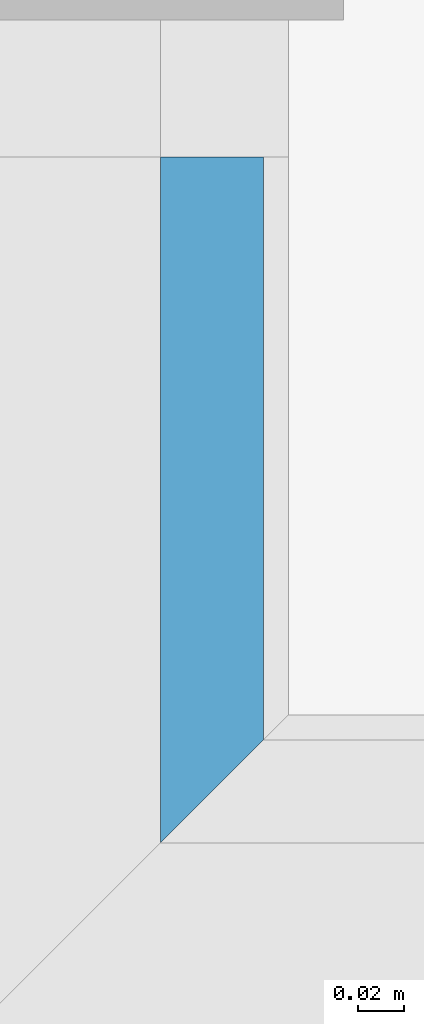
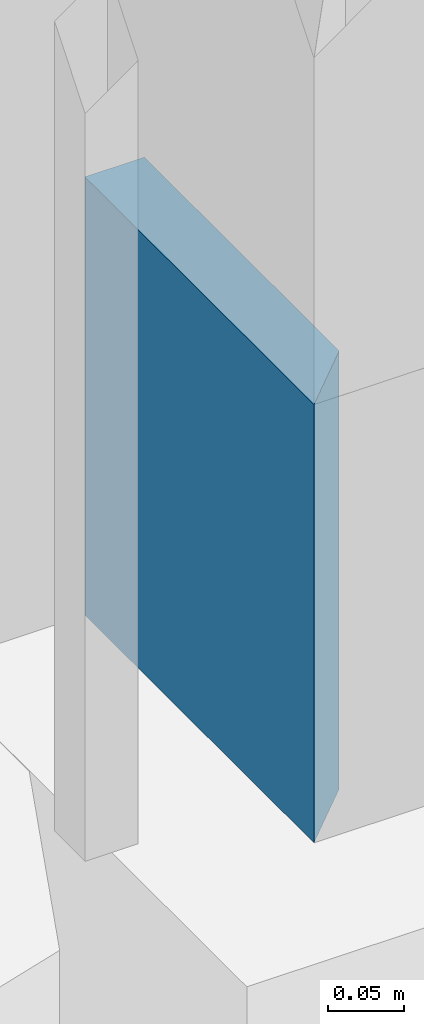
# One storey, part 12 of 18: 1 plate, 1 element without a shape of its own.
"""IFC4 building model written with IfcOpenShell, lengths in metres."""

from ifc_helpers import new_model, si_unit, direction, frame, origin, place, context, subcontext, project, spatial, polyline, outline, extrude, material, layer, layer_set, type_object, element, aggregate, save


model = new_model("IFC4")

# Units and contexts
model_context = context("Model", 3, precision=1e-05, world=origin(), true_north=direction((0.0, 1.0)))
body_context = subcontext(model_context, "Body", "Model", "MODEL_VIEW")
ifc_project = project(units=[si_unit("LENGTHUNIT", "METRE"), si_unit("AREAUNIT", "SQUARE_METRE"), si_unit("VOLUMEUNIT", "CUBIC_METRE"), si_unit("PLANEANGLEUNIT", "RADIAN"), si_unit("MASSUNIT", "GRAM", prefix="KILO")], contexts=[model_context])

# Site, building, storey
site_placement = place(None, origin())
site = spatial("IfcSite", under=ifc_project, at=site_placement, CompositionType="ELEMENT")
building_placement = place(site_placement, origin())
building = spatial("IfcBuilding", under=site, at=building_placement, Name="Trellis Farm Tower", CompositionType="ELEMENT")
storey_placement = place(building_placement, frame((0.0, 0.0, 338.10009765625)))
storey = spatial("IfcBuildingStorey", under=building, at=storey_placement, Name="L76", CompositionType="ELEMENT", Elevation=338.10009765625)

# Curtain wall, plate
ifc_material_1 = material(Name="Aluminium and glass curtain wall", Category="aluminium")
ifc_layer_1 = layer(ifc_material_1, 0.176025390625)
ifc_layer_set_1 = layer_set([ifc_layer_1], Name="CROWN LANTERN CURTAIN WALL CW5")
curtain_wall_type = type_object("IfcCurtainWallType", Name="CROWN LANTERN CURTAIN WALL CW5", PredefinedType="NOTDEFINED", material=ifc_layer_set_1)
placement = place(storey_placement, origin())
curtain_wall = element("IfcCurtainWall", 1, at=placement, inside=storey, type_object=curtain_wall_type, Name="CW5 016", PredefinedType="NOTDEFINED")
ifc_material_2 = material(Name="Sandstone faced insulated panel", Category="masonry")
ifc_layer_2 = layer(ifc_material_2, 0.044921875)
ifc_layer_set_2 = layer_set([ifc_layer_2], Name="CW5 STONE SPANDREL PANEL 45")
plate_type = type_object("IfcPlateType", Name="CW5 STONE SPANDREL PANEL 45", PredefinedType="CURTAIN_PANEL", material=ifc_layer_set_2)
plate = element("IfcPlate", 2, at=placement, type_object=plate_type, Name="PS5 016", PredefinedType="CURTAIN_PANEL", context=body_context, shape_type="SweptSolid", body=[
    extrude(outline(polyline([(-22.6298828125, -6.080078125), (-22.6298828125, -6.3798828125), (-22.5849609375, -6.3349609375), (-22.5849609375, -6.080078125), (-22.6298828125, -6.080078125)])), origin(), (0.0, 0.0, 1.0), 0.349853515625),
])
aggregate(curtain_wall, [plate])

save(model, "model.ifc")
